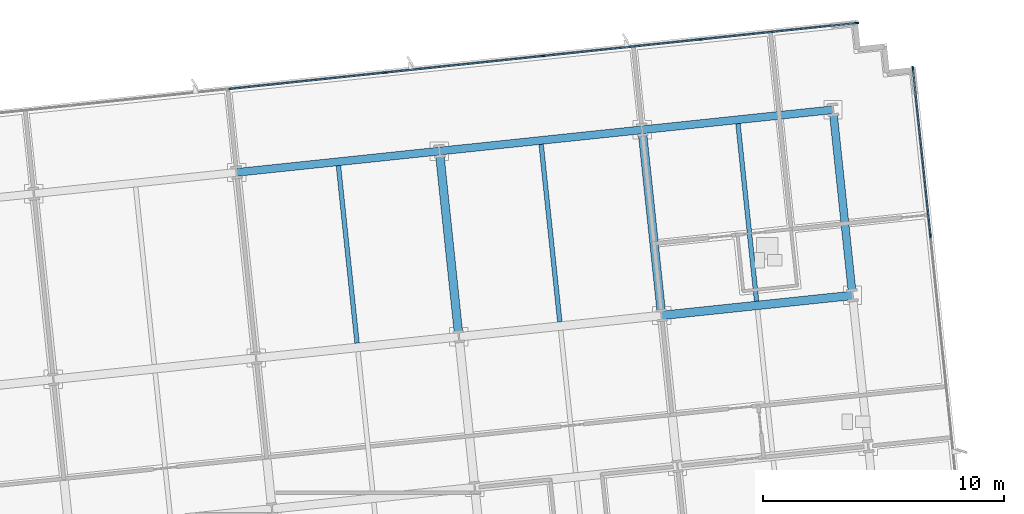
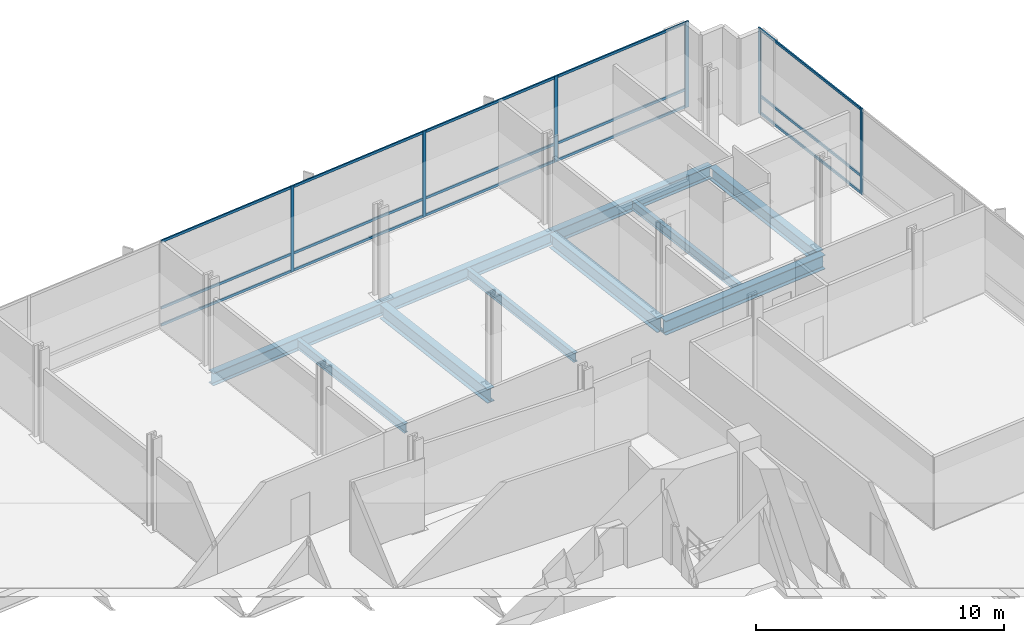
# One storey, part 10 of 20: 21 members, 10 beams, 2 elements without a shape of their own.
"""IFC4 building model written with IfcOpenShell, lengths in metres."""

from ifc_helpers import new_model, si_unit, direction, frame, origin, origin_2d, place, context, subcontext, project, spatial, rectangle, i_section, extrude, material, material_profile, profile_set, type_object, element, aggregate, save


model = new_model("IFC4")

# Units and contexts
model_context = context("Model", 3, precision=1e-05, world=origin(), true_north=direction((0.0, 1.0)))
body_context = subcontext(model_context, "Body", "Model", "MODEL_VIEW")
ifc_project = project(units=[si_unit("LENGTHUNIT", "METRE"), si_unit("AREAUNIT", "SQUARE_METRE"), si_unit("VOLUMEUNIT", "CUBIC_METRE"), si_unit("PLANEANGLEUNIT", "RADIAN"), si_unit("MASSUNIT", "GRAM", prefix="KILO")], contexts=[model_context])

# Site, building, storey
site_placement = place(None, origin())
site = spatial("IfcSite", under=ifc_project, at=site_placement, CompositionType="ELEMENT")
building_placement = place(site_placement, origin())
building = spatial("IfcBuilding", under=site, at=building_placement, Name="Solmavex Isthmus Hotel", CompositionType="ELEMENT")
storey_placement = place(building_placement, frame((0.0, 0.0, 101.85009765625)))
storey = spatial("IfcBuildingStorey", under=building, at=storey_placement, Name="L27", CompositionType="ELEMENT", Elevation=101.85009765625)

# Beams
ifc_material_1 = material(Name="Steel ASTM A992 Grade 50", Category="steel")
ifc_material_profile_1 = material_profile(ifc_material_1, i_section(OverallWidth=0.354736328125, OverallDepth=0.695556640625, WebThickness=0.015380859375, FlangeThickness=0.02490234375, FilletRadius=0.017822265625, at=origin_2d()), Name="W27X146")
ifc_profile_set_1 = profile_set([ifc_material_profile_1], Name="Steel ASTM A992 Grade 50")
beam_type_1 = type_object("IfcBeamType", Name="BM-BG-W27X146", PredefinedType="BEAM", material=ifc_profile_set_1)
beam_1_placement = place(storey_placement, frame((20.5615234375, 11.921875, -0.60791015625), z_axis=(0.994523402738, 0.104514120609, 0.0), x_axis=(-0.104514120609, 0.994523402738, 0.0)))
element("IfcBeam", 1, at=beam_1_placement, inside=storey, type_object=beam_type_1, Name="Floor Girder L27-UG18", PredefinedType="BEAM", context=body_context, shape_type="SweptSolid", body=[
    extrude(i_section(OverallWidth=0.354736328125, OverallDepth=0.695556640625, WebThickness=0.015380859375, FlangeThickness=0.02490234375, FilletRadius=0.017822265625, at=origin_2d()), origin(), (0.0, 0.0, 1.0), 7.968017578125),
])
for number, where, z_axis, x_axis, name in (
    (2, (12.123291015625, 11.21337890625, -0.60791015625), (-0.104525307271, 0.994522227072, 0.0), (-0.994522227072, -0.104525307271, 0.0), "Floor Beam L27-VG42"),
    (3, (20.54296875, 12.098388671875, -0.60791015625), (-0.1045578893, 0.994518802128, 0.0), (-0.994518802128, -0.1045578893, 0.0), "Floor Beam L27-VG45"),
):
    element("IfcBeam", number, at=place(storey_placement, frame(where, z_axis=z_axis, x_axis=x_axis)), inside=storey, type_object=beam_type_1, Name=name, PredefinedType="BEAM", context=body_context, shape_type="SweptSolid", body=[
        extrude(i_section(OverallWidth=0.354736328125, OverallDepth=0.695556640625, WebThickness=0.015380859375, FlangeThickness=0.02490234375, FilletRadius=0.017822265625, at=origin_2d()), origin(), (0.0, 0.0, 1.0), 7.4111328125),
    ])
ifc_material_profile_2 = material_profile(ifc_material_1, i_section(OverallWidth=0.1904296875, OverallDepth=0.456787109375, WebThickness=0.009033203125, FlangeThickness=0.014404296875, FilletRadius=0.0126953125, at=origin_2d()), Name="W18X50")
ifc_profile_set_2 = profile_set([ifc_material_profile_2], Name="Steel ASTM A992 Grade 50")
beam_type_2 = type_object("IfcBeamType", Name="BM-BJ-W18X50", PredefinedType="JOIST", material=ifc_profile_set_2)
beam_2_placement = place(storey_placement, frame((7.913330078125, 10.77099609375, -0.488525390625), z_axis=(-0.104525307271, 0.994522227072, 0.0), x_axis=(-0.994522227072, -0.104525307271, 0.0)))
element("IfcBeam", 4, at=beam_2_placement, inside=storey, type_object=beam_type_2, Name="Secondary Floor Joist L27-J15", PredefinedType="JOIST", context=body_context, shape_type="SweptSolid", body=[
    extrude(i_section(OverallWidth=0.1904296875, OverallDepth=0.456787109375, WebThickness=0.009033203125, FlangeThickness=0.014404296875, FilletRadius=0.0126953125, at=origin_2d()), origin(), (0.0, 0.0, 1.0), 7.4111328125),
])
for number, where, z_axis, x_axis, name in (
    (5, (16.3330078125, 11.65576171875, -0.488525390625), (-0.10452188296, 0.994522586964, 0.0), (-0.994522586964, -0.10452188296, 0.0), "Secondary Floor Joist L27-J18"),
    (6, (24.505126953125, 12.5146484375, -0.488525390625), (-0.10452188296, 0.994522586964, 0.0), (-0.994522586964, -0.10452188296, 0.0), "Secondary Floor Joist L27-J21"),
):
    element("IfcBeam", number, at=place(storey_placement, frame(where, z_axis=z_axis, x_axis=x_axis)), inside=storey, type_object=beam_type_2, Name=name, PredefinedType="JOIST", context=body_context, shape_type="SweptSolid", body=[
        extrude(i_section(OverallWidth=0.1904296875, OverallDepth=0.456787109375, WebThickness=0.009033203125, FlangeThickness=0.014404296875, FilletRadius=0.0126953125, at=origin_2d()), origin(), (0.0, 0.0, 1.0), 7.411376953125),
    ])
ifc_material_profile_3 = material_profile(ifc_material_1, i_section(OverallWidth=0.326416015625, OverallDepth=0.621826171875, WebThickness=0.015380859375, FlangeThickness=0.0244140625, FilletRadius=0.01513671875, at=origin_2d()), Name="W24X131")
ifc_profile_set_3 = profile_set([ifc_material_profile_3], Name="Steel ASTM A992 Grade 50")
beam_type_3 = type_object("IfcBeamType", Name="BM-SP-W24X131", PredefinedType="SPANDREL", material=ifc_profile_set_3)
for number, where, z_axis, x_axis, name in (
    (7, (2.911865234375, 17.861572265625, -0.571044921875), (0.994521085209, 0.104536171134, 0.0), (-0.104536171134, 0.994521085209, 0.0), "Floor Girder L27-UG22"),
    (8, (11.33154296875, 18.74658203125, -0.571044921875), (0.994524082861, 0.104507648572, 0.0), (-0.104507648572, 0.994524082861, 0.0), "Floor Girder L27-UG23"),
):
    element("IfcBeam", number, at=place(storey_placement, frame(where, z_axis=z_axis, x_axis=x_axis)), inside=storey, type_object=beam_type_3, Name=name, PredefinedType="SPANDREL", context=body_context, shape_type="SweptSolid", body=[
        extrude(i_section(OverallWidth=0.326416015625, OverallDepth=0.621826171875, WebThickness=0.015380859375, FlangeThickness=0.0244140625, FilletRadius=0.01513671875, at=origin_2d()), origin(), (0.0, 0.0, 1.0), 8.466064453125),
    ])
beam_3_placement = place(storey_placement, frame((19.751220703125, 19.63134765625, -0.571044921875), z_axis=(0.994520217478, 0.10454442609, 0.0), x_axis=(-0.10454442609, 0.994520217478, 0.0)))
element("IfcBeam", 9, at=beam_3_placement, inside=storey, type_object=beam_type_3, Name="Floor Girder L27-UG24", PredefinedType="SPANDREL", context=body_context, shape_type="SweptSolid", body=[
    extrude(i_section(OverallWidth=0.326416015625, OverallDepth=0.621826171875, WebThickness=0.015380859375, FlangeThickness=0.0244140625, FilletRadius=0.01513671875, at=origin_2d()), origin(), (0.0, 0.0, 1.0), 7.968017578125),
])
beam_4_placement = place(storey_placement, frame((28.46728515625, 12.93115234375, -0.571044921875), z_axis=(-0.10452188296, 0.994522586964, 0.0), x_axis=(-0.994522586964, -0.10452188296, 0.0)))
element("IfcBeam", 10, at=beam_4_placement, inside=storey, type_object=beam_type_3, Name="Floor Beam L27-VG48", PredefinedType="SPANDREL", context=body_context, shape_type="SweptSolid", body=[
    extrude(i_section(OverallWidth=0.326416015625, OverallDepth=0.621826171875, WebThickness=0.015380859375, FlangeThickness=0.0244140625, FilletRadius=0.01513671875, at=origin_2d()), origin(), (0.0, 0.0, 1.0), 7.411376953125),
])

# Curtain wall, members
ifc_material_2 = material(Name="Aluminium alloy 6063-T6", Category="aluminium")
curtain_wall_type = type_object("IfcCurtainWallType", Name="CW-SYS-05", PredefinedType="NOTDEFINED", material=ifc_material_2)
curtain_wall_1_placement = place(storey_placement, origin())
curtain_wall_1 = element("IfcCurtainWall", 11, at=curtain_wall_1_placement, inside=storey, type_object=curtain_wall_type, Name="Stick Curtain Wall CWL-L27-N1", PredefinedType="NOTDEFINED")
ifc_material_profile_4 = material_profile(ifc_material_2, rectangle(XDim=0.06494140625, YDim=0.159912109375, at=origin_2d()), Name="CWM-65X160")
ifc_profile_set_4 = profile_set([ifc_material_profile_4], Name="Aluminium alloy 6063-T6")
member_type_1 = type_object("IfcMemberType", Name="CW-SYS-05-MUL", PredefinedType="MULLION", material=ifc_profile_set_4)
member_1_placement = place(storey_placement, frame((9.087158203125, 22.009765625, 0.0), z_axis=(0.0, 0.0, 1.0), x_axis=(-0.104528331835, 0.994521909182, 0.0)))
member_1 = element("IfcMember", 12, at=member_1_placement, type_object=member_type_1, Name="CW-05 mullion 6", PredefinedType="MULLION", context=body_context, shape_type="SweptSolid", body=[
    extrude(rectangle(XDim=0.06494140625, YDim=0.159912109375, at=origin_2d()), origin(), (0.0, 0.0, 1.0), 4.239990234375),
])
member_2_placement = place(storey_placement, frame((15.6259765625, 22.697021484375, 0.0), z_axis=(0.0, 0.0, 1.0), x_axis=(-0.104528331835, 0.994521909182, 0.0)))
member_2 = element("IfcMember", 13, at=member_2_placement, type_object=member_type_1, Name="CW-05 mullion 7", PredefinedType="MULLION", context=body_context, shape_type="SweptSolid", body=[
    extrude(rectangle(XDim=0.06494140625, YDim=0.159912109375, at=origin_2d()), origin(), (0.0, 0.0, 1.0), 4.239990234375),
])
member_3_placement = place(storey_placement, frame((22.1650390625, 23.38427734375, 0.0), z_axis=(0.0, 0.0, 1.0), x_axis=(-0.104528331835, 0.994521909182, 0.0)))
member_3 = element("IfcMember", 14, at=member_3_placement, type_object=member_type_1, Name="CW-05 mullion 8", PredefinedType="MULLION", context=body_context, shape_type="SweptSolid", body=[
    extrude(rectangle(XDim=0.06494140625, YDim=0.159912109375, at=origin_2d()), origin(), (0.0, 0.0, 1.0), 4.239990234375),
])
member_4_placement = place(storey_placement, frame((28.671630859375, 24.068115234375, 0.0), z_axis=(0.0, 0.0, 1.0), x_axis=(-0.104528331835, 0.994521909182, 0.0)))
member_4 = element("IfcMember", 15, at=member_4_placement, type_object=member_type_1, Name="CW-05 mullion 9", PredefinedType="MULLION", context=body_context, shape_type="SweptSolid", body=[
    extrude(rectangle(XDim=0.06494140625, YDim=0.159912109375, at=origin_2d()), origin(), (0.0, 0.0, 1.0), 4.239990234375),
])

curtain_wall_2_placement = place(storey_placement, origin())
curtain_wall_2 = element("IfcCurtainWall", 16, at=curtain_wall_2_placement, inside=storey, type_object=curtain_wall_type, Name="Stick Curtain Wall CWL-L27-E1", PredefinedType="NOTDEFINED")
member_5_placement = place(storey_placement, frame((31.723876953125, 15.23876953125, 0.0), z_axis=(0.0, 0.0, 1.0), x_axis=(-0.994521893044, -0.104528485381, 0.0)))
member_5 = element("IfcMember", 17, at=member_5_placement, type_object=member_type_1, Name="CW-05 mullion 5", PredefinedType="MULLION", context=body_context, shape_type="SweptSolid", body=[
    extrude(rectangle(XDim=0.06494140625, YDim=0.159912109375, at=origin_2d()), origin(), (0.0, 0.0, 1.0), 4.239990234375),
])
member_6_placement = place(storey_placement, frame((30.993408203125, 22.18798828125, 0.0), z_axis=(0.0, 0.0, 1.0), x_axis=(-0.994521893044, -0.104528485381, 0.0)))
member_6 = element("IfcMember", 18, at=member_6_placement, type_object=member_type_1, Name="CW-05 mullion 6", PredefinedType="MULLION", context=body_context, shape_type="SweptSolid", body=[
    extrude(rectangle(XDim=0.06494140625, YDim=0.159912109375, at=origin_2d()), origin(), (0.0, 0.0, 1.0), 4.239990234375),
])

# Member
ifc_material_profile_5 = material_profile(ifc_material_2, rectangle(XDim=0.06494140625, YDim=0.125, at=origin_2d()), Name="CWT-65X125")
ifc_profile_set_5 = profile_set([ifc_material_profile_5], Name="Aluminium alloy 6063-T6")
member_type_2 = type_object("IfcMemberType", Name="CW-SYS-05-TRN", PredefinedType="USERDEFINED", material=ifc_profile_set_5)
member_7_placement = place(storey_placement, frame((2.580322265625, 21.325927734375, 0.0625), z_axis=(0.994522905893, 0.104518848325, 0.0), x_axis=(-0.104518848325, 0.994522905893, 0.0)))
member_7 = element("IfcMember", 19, at=member_7_placement, type_object=member_type_2, Name="CW-05 transom 5.1", ObjectType="TRANSOM", PredefinedType="USERDEFINED", context=body_context, shape_type="SweptSolid", body=[
    extrude(rectangle(XDim=0.06494140625, YDim=0.125, at=origin_2d()), origin(), (0.0, 0.0, 1.0), 6.510009765625),
])

member_8_placement = place(storey_placement, frame((2.580322265625, 21.325927734375, 0.89990234375), z_axis=(0.994522905893, 0.104518848325, 0.0), x_axis=(-0.104518848325, 0.994522905893, 0.0)))
member_8 = element("IfcMember", 20, at=member_8_placement, type_object=member_type_2, Name="CW-05 transom 5.2", ObjectType="TRANSOM", PredefinedType="USERDEFINED", context=body_context, shape_type="SweptSolid", body=[
    extrude(rectangle(XDim=0.06494140625, YDim=0.125, at=origin_2d()), origin(), (0.0, 0.0, 1.0), 6.510009765625),
])

member_9_placement = place(storey_placement, frame((2.580322265625, 21.325927734375, 4.177490234375), z_axis=(0.994522905893, 0.104518848325, 0.0), x_axis=(-0.104518848325, 0.994522905893, 0.0)))
member_9 = element("IfcMember", 21, at=member_9_placement, type_object=member_type_2, Name="CW-05 transom 5.3", ObjectType="TRANSOM", PredefinedType="USERDEFINED", context=body_context, shape_type="SweptSolid", body=[
    extrude(rectangle(XDim=0.06494140625, YDim=0.125, at=origin_2d()), origin(), (0.0, 0.0, 1.0), 6.510009765625),
])

member_10_placement = place(storey_placement, frame((9.119384765625, 22.01318359375, 0.0625), z_axis=(0.994522905893, 0.104518848325, 0.0), x_axis=(-0.104518848325, 0.994522905893, 0.0)))
member_10 = element("IfcMember", 22, at=member_10_placement, type_object=member_type_2, Name="CW-05 transom 6.1", ObjectType="TRANSOM", PredefinedType="USERDEFINED", context=body_context, shape_type="SweptSolid", body=[
    extrude(rectangle(XDim=0.06494140625, YDim=0.125, at=origin_2d()), origin(), (0.0, 0.0, 1.0), 6.510009765625),
])

member_11_placement = place(storey_placement, frame((9.119384765625, 22.01318359375, 0.89990234375), z_axis=(0.994522905893, 0.104518848325, 0.0), x_axis=(-0.104518848325, 0.994522905893, 0.0)))
member_11 = element("IfcMember", 23, at=member_11_placement, type_object=member_type_2, Name="CW-05 transom 6.2", ObjectType="TRANSOM", PredefinedType="USERDEFINED", context=body_context, shape_type="SweptSolid", body=[
    extrude(rectangle(XDim=0.06494140625, YDim=0.125, at=origin_2d()), origin(), (0.0, 0.0, 1.0), 6.510009765625),
])

member_12_placement = place(storey_placement, frame((9.119384765625, 22.01318359375, 4.177490234375), z_axis=(0.994522905893, 0.104518848325, 0.0), x_axis=(-0.104518848325, 0.994522905893, 0.0)))
member_12 = element("IfcMember", 24, at=member_12_placement, type_object=member_type_2, Name="CW-05 transom 6.3", ObjectType="TRANSOM", PredefinedType="USERDEFINED", context=body_context, shape_type="SweptSolid", body=[
    extrude(rectangle(XDim=0.06494140625, YDim=0.125, at=origin_2d()), origin(), (0.0, 0.0, 1.0), 6.510009765625),
])

member_13_placement = place(storey_placement, frame((15.658447265625, 22.700439453125, 0.0625), z_axis=(0.994522905893, 0.104518848325, 0.0), x_axis=(-0.104518848325, 0.994522905893, 0.0)))
member_13 = element("IfcMember", 25, at=member_13_placement, type_object=member_type_2, Name="CW-05 transom 7.1", ObjectType="TRANSOM", PredefinedType="USERDEFINED", context=body_context, shape_type="SweptSolid", body=[
    extrude(rectangle(XDim=0.06494140625, YDim=0.125, at=origin_2d()), origin(), (0.0, 0.0, 1.0), 6.510009765625),
])

member_14_placement = place(storey_placement, frame((15.658447265625, 22.700439453125, 0.89990234375), z_axis=(0.994522905893, 0.104518848325, 0.0), x_axis=(-0.104518848325, 0.994522905893, 0.0)))
member_14 = element("IfcMember", 26, at=member_14_placement, type_object=member_type_2, Name="CW-05 transom 7.2", ObjectType="TRANSOM", PredefinedType="USERDEFINED", context=body_context, shape_type="SweptSolid", body=[
    extrude(rectangle(XDim=0.06494140625, YDim=0.125, at=origin_2d()), origin(), (0.0, 0.0, 1.0), 6.510009765625),
])

member_15_placement = place(storey_placement, frame((15.658447265625, 22.700439453125, 4.177490234375), z_axis=(0.994522905893, 0.104518848325, 0.0), x_axis=(-0.104518848325, 0.994522905893, 0.0)))
member_15 = element("IfcMember", 27, at=member_15_placement, type_object=member_type_2, Name="CW-05 transom 7.3", ObjectType="TRANSOM", PredefinedType="USERDEFINED", context=body_context, shape_type="SweptSolid", body=[
    extrude(rectangle(XDim=0.06494140625, YDim=0.125, at=origin_2d()), origin(), (0.0, 0.0, 1.0), 6.510009765625),
])

member_16_placement = place(storey_placement, frame((22.197265625, 23.3876953125, 0.0625), z_axis=(0.994523405514, 0.104514094194, 0.0), x_axis=(-0.104514094194, 0.994523405514, 0.0)))
member_16 = element("IfcMember", 28, at=member_16_placement, type_object=member_type_2, Name="CW-05 transom 8.1", ObjectType="TRANSOM", PredefinedType="USERDEFINED", context=body_context, shape_type="SweptSolid", body=[
    extrude(rectangle(XDim=0.06494140625, YDim=0.125, at=origin_2d()), origin(), (0.0, 0.0, 1.0), 6.4775390625),
])

member_17_placement = place(storey_placement, frame((22.197265625, 23.3876953125, 0.89990234375), z_axis=(0.994523405514, 0.104514094194, 0.0), x_axis=(-0.104514094194, 0.994523405514, 0.0)))
member_17 = element("IfcMember", 29, at=member_17_placement, type_object=member_type_2, Name="CW-05 transom 8.2", ObjectType="TRANSOM", PredefinedType="USERDEFINED", context=body_context, shape_type="SweptSolid", body=[
    extrude(rectangle(XDim=0.06494140625, YDim=0.125, at=origin_2d()), origin(), (0.0, 0.0, 1.0), 6.4775390625),
])

member_18_placement = place(storey_placement, frame((22.197265625, 23.3876953125, 4.177490234375), z_axis=(0.994523405514, 0.104514094194, 0.0), x_axis=(-0.104514094194, 0.994523405514, 0.0)))
member_18 = element("IfcMember", 30, at=member_18_placement, type_object=member_type_2, Name="CW-05 transom 8.3", ObjectType="TRANSOM", PredefinedType="USERDEFINED", context=body_context, shape_type="SweptSolid", body=[
    extrude(rectangle(XDim=0.06494140625, YDim=0.125, at=origin_2d()), origin(), (0.0, 0.0, 1.0), 6.4775390625),
])

aggregate(curtain_wall_1, [member_1, member_2, member_3, member_4, member_7, member_8, member_9, member_10, member_11, member_12, member_13, member_14, member_15, member_16, member_17, member_18])

member_19_placement = place(storey_placement, frame((31.720458984375, 15.271240234375, 0.0625), z_axis=(-0.10453424226, 0.994521287955, 0.0), x_axis=(-0.994521287955, -0.10453424226, 0.0)))
member_19 = element("IfcMember", 31, at=member_19_placement, type_object=member_type_2, Name="CW-05 transom 5.1", ObjectType="TRANSOM", PredefinedType="USERDEFINED", context=body_context, shape_type="SweptSolid", body=[
    extrude(rectangle(XDim=0.06494140625, YDim=0.125, at=origin_2d()), origin(), (0.0, 0.0, 1.0), 6.92236328125),
])

member_20_placement = place(storey_placement, frame((31.720458984375, 15.271240234375, 0.89990234375), z_axis=(-0.10453424226, 0.994521287955, 0.0), x_axis=(-0.994521287955, -0.10453424226, 0.0)))
member_20 = element("IfcMember", 32, at=member_20_placement, type_object=member_type_2, Name="CW-05 transom 5.2", ObjectType="TRANSOM", PredefinedType="USERDEFINED", context=body_context, shape_type="SweptSolid", body=[
    extrude(rectangle(XDim=0.06494140625, YDim=0.125, at=origin_2d()), origin(), (0.0, 0.0, 1.0), 6.92236328125),
])

member_21_placement = place(storey_placement, frame((31.720458984375, 15.271240234375, 4.177490234375), z_axis=(-0.10453424226, 0.994521287955, 0.0), x_axis=(-0.994521287955, -0.10453424226, 0.0)))
member_21 = element("IfcMember", 33, at=member_21_placement, type_object=member_type_2, Name="CW-05 transom 5.3", ObjectType="TRANSOM", PredefinedType="USERDEFINED", context=body_context, shape_type="SweptSolid", body=[
    extrude(rectangle(XDim=0.06494140625, YDim=0.125, at=origin_2d()), origin(), (0.0, 0.0, 1.0), 6.92236328125),
])

aggregate(curtain_wall_2, [member_5, member_6, member_19, member_20, member_21])

save(model, "model.ifc")
